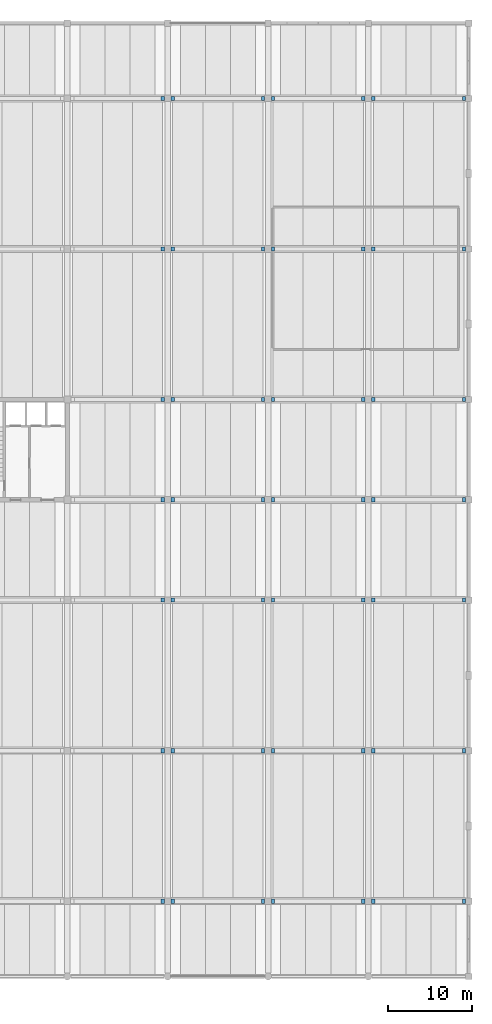
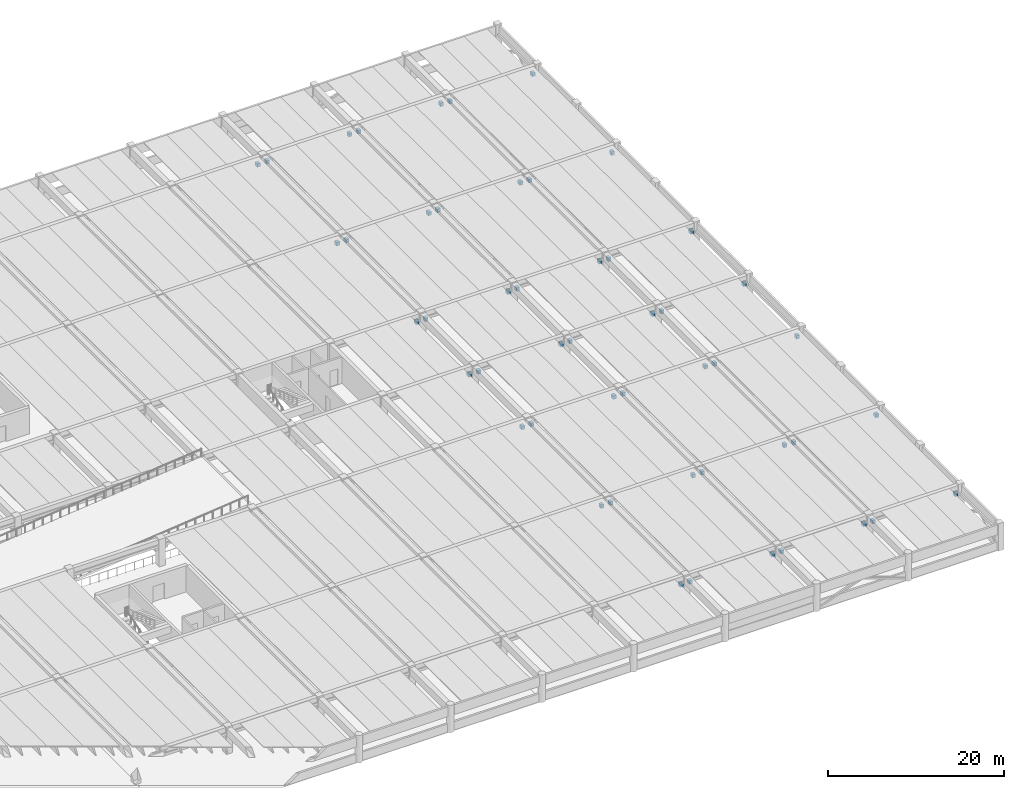
# One storey, part 16 of 21: 49 discrete accessories.
"""IFC4 building model written with IfcOpenShell, lengths in metres."""

from ifc_helpers import new_model, si_unit, direction, frame, origin, origin_2d, place, context, subcontext, project, spatial, rectangle, extrude, material, type_object, element, save


model = new_model("IFC4")

# Units and contexts
model_context = context("Model", 3, precision=1e-05, world=origin(), true_north=direction((0.0, 1.0)))
body_context = subcontext(model_context, "Body", "Model", "MODEL_VIEW")
ifc_project = project(units=[si_unit("LENGTHUNIT", "METRE"), si_unit("AREAUNIT", "SQUARE_METRE"), si_unit("VOLUMEUNIT", "CUBIC_METRE"), si_unit("PLANEANGLEUNIT", "RADIAN"), si_unit("MASSUNIT", "GRAM", prefix="KILO")], contexts=[model_context])

# Site, building, storey
site_placement = place(None, origin())
site = spatial("IfcSite", under=ifc_project, at=site_placement, CompositionType="ELEMENT")
building_placement = place(site_placement, origin())
building = spatial("IfcBuilding", under=site, at=building_placement, Name="Girod Span Mobility Hub", CompositionType="ELEMENT")
storey_placement = place(building_placement, frame((0.0, 0.0, 17.199951171875)))
storey = spatial("IfcBuildingStorey", under=building, at=storey_placement, Name="L04", CompositionType="ELEMENT", Elevation=17.199951171875)

# Discrete accessories
ifc_material = material(Name="Concrete C40/50", Category="concrete")
discrete_accessory_type = type_object("IfcDiscreteAccessoryType", Name="ACC-CORBEL-480", PredefinedType="BRACKET", material=ifc_material)
for number, where, z_axis, x_axis, name in (
    (1, (131.402099609375, 9.0, 2.212158203125), (0.0, 0.0, 1.0), (1.0, 0.0, 0.0), "Precast Corbel 11/B-R L04"),
    (2, (132.597900390625, 9.0, 2.212158203125), (0.0, 0.0, 1.0), (1.0, 0.0, 0.0), "Precast Corbel 12/B-L L04"),
    (3, (143.402099609375, 9.0, 2.212158203125), (0.0, 0.0, 1.0), (1.0, 0.0, 0.0), "Precast Corbel 12/B-R L04"),
    (4, (144.597900390625, 9.0, 2.212158203125), (0.0, 0.0, 1.0), (1.0, 0.0, 0.0), "Precast Corbel 13/B-L L04"),
    (5, (155.402099609375, 9.0, 2.212158203125), (0.0, 0.0, 1.0), (1.0, 0.0, 0.0), "Precast Corbel 13/B-R L04"),
    (6, (156.597900390625, 9.0, 2.152099609375), (0.0, 0.0, 1.0), (1.0, 0.0, 0.0), "Precast Corbel 14/B-L L04"),
    (7, (167.427001953125, 9.0, 2.152099609375), (0.0, 0.0, 1.0), (1.0, 0.0, 0.0), "Precast Corbel 14/B-R L04"),
    (8, (131.402099609375, 27.0, 2.212158203125), (0.0, 0.0, 1.0), (1.0, 0.0, 0.0), "Precast Corbel 11/C-R L04"),
    (9, (132.597900390625, 27.0, 2.212158203125), (0.0, 0.0, 1.0), (1.0, 0.0, 0.0), "Precast Corbel 12/C-L L04"),
    (10, (143.402099609375, 27.0, 2.212158203125), (0.0, 0.0, 1.0), (1.0, 0.0, 0.0), "Precast Corbel 12/C-R L04"),
    (11, (144.597900390625, 27.0, 2.212158203125), (0.0, 0.0, 1.0), (1.0, 0.0, 0.0), "Precast Corbel 13/C-L L04"),
    (12, (155.402099609375, 27.0, 2.212158203125), (0.0, 0.0, 1.0), (1.0, 0.0, 0.0), "Precast Corbel 13/C-R L04"),
    (13, (156.597900390625, 27.0, 2.152099609375), (0.0, 0.0, 1.0), (1.0, 0.0, 0.0), "Precast Corbel 14/C-L L04"),
    (14, (167.427001953125, 27.0, 2.152099609375), (0.0, 0.0, 1.0), (1.0, 0.0, 0.0), "Precast Corbel 14/C-R L04"),
    (15, (131.402099609375, 45.0, 2.212158203125), (0.0, 0.0, 1.0), (1.0, 0.0, 0.0), "Precast Corbel 11/D-R L04"),
    (16, (132.597900390625, 45.0, 2.212158203125), (0.0, 0.0, 1.0), (1.0, 0.0, 0.0), "Precast Corbel 12/D-L L04"),
    (17, (143.402099609375, 45.0, 2.212158203125), (0.0, 0.0, 1.0), (1.0, 0.0, 0.0), "Precast Corbel 12/D-R L04"),
    (18, (144.597900390625, 45.0, 2.212158203125), (0.0, 0.0, 1.0), (1.0, 0.0, 0.0), "Precast Corbel 13/D-L L04"),
    (19, (155.402099609375, 45.0, 2.212158203125), (0.0, 0.0, 1.0), (1.0, 0.0, 0.0), "Precast Corbel 13/D-R L04"),
    (20, (156.597900390625, 45.0, 2.152099609375), (0.0, 0.0, 1.0), (1.0, 0.0, 0.0), "Precast Corbel 14/D-L L04"),
    (21, (167.427001953125, 45.0, 2.152099609375), (0.0, 0.0, 1.0), (1.0, 0.0, 0.0), "Precast Corbel 14/D-R L04"),
    (22, (131.402099609375, 57.0, 2.212158203125), (0.0, 0.0, 1.0), (1.0, 0.0, 0.0), "Precast Corbel 11/E-R L04"),
    (23, (132.597900390625, 57.0, 2.212158203125), (0.0, 0.0, 1.0), (1.0, 0.0, 0.0), "Precast Corbel 12/E-L L04"),
    (24, (143.402099609375, 57.0, 2.212158203125), (0.0, 0.0, 1.0), (1.0, 0.0, 0.0), "Precast Corbel 12/E-R L04"),
    (25, (144.597900390625, 57.0, 2.212158203125), (0.0, 0.0, 1.0), (1.0, 0.0, 0.0), "Precast Corbel 13/E-L L04"),
    (26, (155.402099609375, 57.0, 2.212158203125), (0.0, 0.0, 1.0), (1.0, 0.0, 0.0), "Precast Corbel 13/E-R L04"),
    (27, (156.597900390625, 57.0, 2.152099609375), (0.0, 0.0, 1.0), (1.0, 0.0, 0.0), "Precast Corbel 14/E-L L04"),
    (28, (167.427001953125, 57.0, 2.152099609375), (0.0, 0.0, 1.0), (1.0, 0.0, 0.0), "Precast Corbel 14/E-R L04"),
    (29, (131.402099609375, 69.0, 2.212158203125), (0.0, 0.0, 1.0), (1.0, 0.0, 0.0), "Precast Corbel 11/F-R L04"),
    (30, (132.597900390625, 69.0, 2.212158203125), (0.0, 0.0, 1.0), (1.0, 0.0, 0.0), "Precast Corbel 12/F-L L04"),
    (31, (143.402099609375, 69.0, 2.212158203125), (0.0, 0.0, 1.0), (1.0, 0.0, 0.0), "Precast Corbel 12/F-R L04"),
    (32, (144.597900390625, 69.0, 2.212158203125), (0.0, 0.0, 1.0), (1.0, 0.0, 0.0), "Precast Corbel 13/F-L L04"),
    (33, (155.402099609375, 69.0, 2.212158203125), (0.0, 0.0, 1.0), (1.0, 0.0, 0.0), "Precast Corbel 13/F-R L04"),
    (34, (156.597900390625, 69.0, 2.152099609375), (0.0, 0.0, 1.0), (1.0, 0.0, 0.0), "Precast Corbel 14/F-L L04"),
    (35, (167.427001953125, 69.0, 2.152099609375), (0.0, 0.0, 1.0), (1.0, 0.0, 0.0), "Precast Corbel 14/F-R L04"),
    (36, (131.402099609375, 87.0, 2.212158203125), (0.0, 0.0, 1.0), (1.0, 0.0, 0.0), "Precast Corbel 11/G-R L04"),
    (37, (132.597900390625, 87.0, 2.212158203125), (0.0, 0.0, 1.0), (1.0, 0.0, 0.0), "Precast Corbel 12/G-L L04"),
    (38, (143.402099609375, 87.0, 2.212158203125), (0.0, 0.0, 1.0), (1.0, 0.0, 0.0), "Precast Corbel 12/G-R L04"),
    (39, (144.597900390625, 87.0, 2.212158203125), (0.0, 0.0, 1.0), (1.0, 0.0, 0.0), "Precast Corbel 13/G-L L04"),
    (40, (155.402099609375, 87.0, 2.212158203125), (0.0, 0.0, 1.0), (1.0, 0.0, 0.0), "Precast Corbel 13/G-R L04"),
    (41, (156.597900390625, 87.0, 2.152099609375), (0.0, 0.0, 1.0), (1.0, 0.0, 0.0), "Precast Corbel 14/G-L L04"),
    (42, (167.427001953125, 87.0, 2.152099609375), (0.0, 0.0, 1.0), (1.0, 0.0, 0.0), "Precast Corbel 14/G-R L04"),
    (43, (131.402099609375, 105.0, 2.212158203125), (0.0, 0.0, 1.0), (1.0, 0.0, 0.0), "Precast Corbel 11/H-R L04"),
    (44, (132.597900390625, 105.0, 2.212158203125), (0.0, 0.0, 1.0), (1.0, 0.0, 0.0), "Precast Corbel 12/H-L L04"),
    (45, (143.402099609375, 105.0, 2.212158203125), (0.0, 0.0, 1.0), (1.0, 0.0, 0.0), "Precast Corbel 12/H-R L04"),
    (46, (144.597900390625, 105.0, 2.212158203125), (0.0, 0.0, 1.0), (1.0, 0.0, 0.0), "Precast Corbel 13/H-L L04"),
    (47, (155.402099609375, 105.0, 2.212158203125), (0.0, 0.0, 1.0), (1.0, 0.0, 0.0), "Precast Corbel 13/H-R L04"),
    (48, (156.597900390625, 105.0, 2.152099609375), (0.0, 0.0, 1.0), (1.0, 0.0, 0.0), "Precast Corbel 14/H-L L04"),
    (49, (167.427001953125, 105.0, 2.152099609375), (0.0, 0.0, 1.0), (1.0, 0.0, 0.0), "Precast Corbel 14/H-R L04"),
):
    element("IfcDiscreteAccessory", number, at=place(storey_placement, frame(where, z_axis=z_axis, x_axis=x_axis)), inside=storey, type_object=discrete_accessory_type, Name=name, PredefinedType="BRACKET", context=body_context, shape_type="SweptSolid", body=[
        extrude(rectangle(XDim=0.39990234375, YDim=0.5, at=origin_2d()), origin(), (0.0, 0.0, 1.0), 0.47998046875),
    ])

save(model, "model.ifc")
